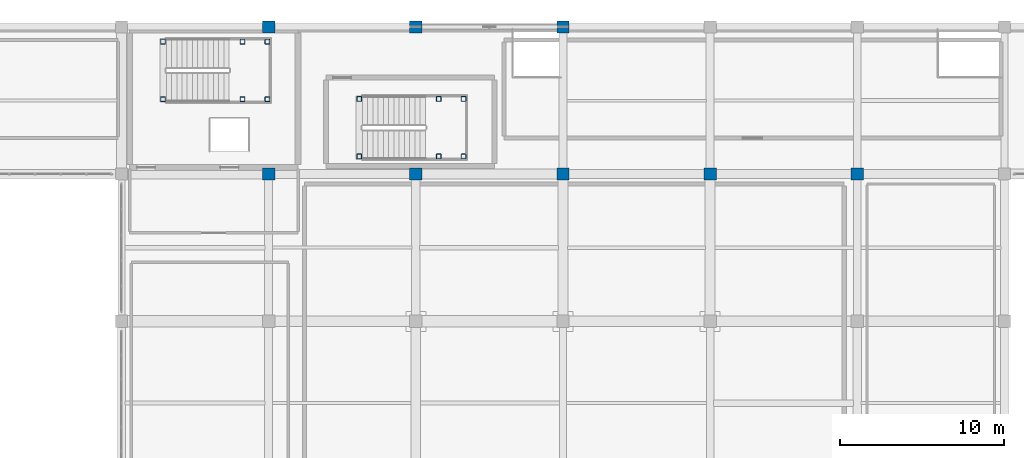
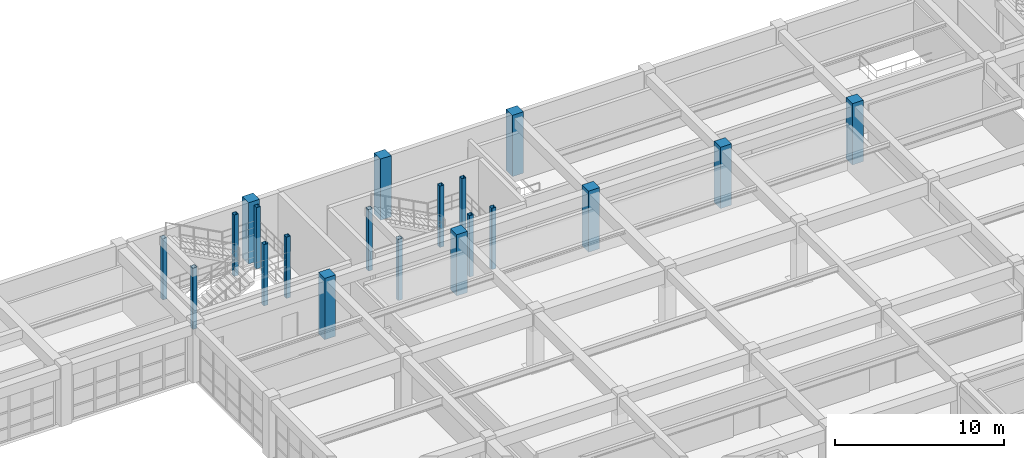
# One storey, part 12 of 133: 20 columns.
"""IFC4 building model written with IfcOpenShell, lengths in metres."""

from ifc_helpers import new_model, si_unit, direction, frame, origin, origin_2d, place, context, subcontext, project, spatial, rectangle, hollow_rectangle, extrude, material, material_profile, profile_set, type_object, element, save


model = new_model("IFC4")

# Units and contexts
model_context = context("Model", 3, precision=1e-05, world=origin(), true_north=direction((0.0, 1.0)))
body_context = subcontext(model_context, "Body", "Model", "MODEL_VIEW")
ifc_project = project(units=[si_unit("LENGTHUNIT", "METRE"), si_unit("AREAUNIT", "SQUARE_METRE"), si_unit("VOLUMEUNIT", "CUBIC_METRE"), si_unit("PLANEANGLEUNIT", "RADIAN"), si_unit("MASSUNIT", "GRAM", prefix="KILO")], contexts=[model_context])

# Site, building, storey
site_placement = place(None, origin())
site = spatial("IfcSite", under=ifc_project, at=site_placement, CompositionType="ELEMENT")
building_placement = place(site_placement, origin())
building = spatial("IfcBuilding", under=site, at=building_placement, Name="Miravela Opera House", CompositionType="ELEMENT")
storey_placement = place(building_placement, frame((0.0, 0.0, 5.10009765625)))
storey = spatial("IfcBuildingStorey", under=building, at=storey_placement, Name="L01", CompositionType="ELEMENT", Elevation=5.10009765625)

# Columns
ifc_material_1 = material(Name="Hollow structural steel ASTM A500 Gr. C", Category="steel")
ifc_material_profile_1 = material_profile(ifc_material_1, hollow_rectangle(XDim=0.300048828125, YDim=0.300048828125, WallThickness=0.01611328125, InnerFilletRadius=0.01611328125, OuterFilletRadius=0.031982421875, at=origin_2d()), Name="HSS300X300X16")
ifc_profile_set_1 = profile_set([ifc_material_profile_1])
column_type_1 = type_object("IfcColumnType", Name="STR-COL-HSS300", PredefinedType="COLUMN", material=ifc_profile_set_1)
for number, where, z_axis, x_axis, name in (
    (1, (65.5400390625, 107.580078125, 0.0), (0.0, 0.0, 1.0), (1.0, 0.0, 0.0), "Stair K5 Landing Support Column 1 (L01)"),
    (2, (65.5400390625, 111.10009765625, 0.0), (0.0, 0.0, 1.0), (1.0, 0.0, 0.0), "Stair K5 Landing Support Column 2 (L01)"),
    (3, (70.39990234375, 107.580078125, 0.0), (0.0, 0.0, 1.0), (1.0, 0.0, 0.0), "Stair K5 Landing Support Column 3 (L01)"),
    (4, (70.39990234375, 111.10009765625, 0.0), (0.0, 0.0, 1.0), (1.0, 0.0, 0.0), "Stair K5 Landing Support Column 4 (L01)"),
    (5, (71.919921875, 107.580078125, 0.0), (0.0, 0.0, 1.0), (1.0, 0.0, 0.0), "Stair K5 Landing Support Column 5 (L01)"),
    (6, (71.919921875, 111.10009765625, 0.0), (0.0, 0.0, 1.0), (1.0, 0.0, 0.0), "Stair K5 Landing Support Column 6 (L01)"),
    (7, (77.5400390625, 104.080078125, 0.0), (0.0, 0.0, 1.0), (1.0, 0.0, 0.0), "Stair ST-07 Landing Support Column 1 (L01)"),
    (8, (77.5400390625, 107.60009765625, 0.0), (0.0, 0.0, 1.0), (1.0, 0.0, 0.0), "Stair ST-07 Landing Support Column 2 (L01)"),
    (9, (82.39990234375, 104.080078125, 0.0), (0.0, 0.0, 1.0), (1.0, 0.0, 0.0), "Stair ST-07 Landing Support Column 3 (L01)"),
    (10, (82.39990234375, 107.60009765625, 0.0), (0.0, 0.0, 1.0), (1.0, 0.0, 0.0), "Stair ST-07 Landing Support Column 4 (L01)"),
    (11, (83.919921875, 104.080078125, 0.0), (0.0, 0.0, 1.0), (1.0, 0.0, 0.0), "Stair ST-07 Landing Support Column 5 (L01)"),
    (12, (83.919921875, 107.60009765625, 0.0), (0.0, 0.0, 1.0), (1.0, 0.0, 0.0), "Stair ST-07 Landing Support Column 6 (L01)"),
):
    element("IfcColumn", number, at=place(storey_placement, frame(where, z_axis=z_axis, x_axis=x_axis)), inside=storey, type_object=column_type_1, Name=name, PredefinedType="COLUMN", context=body_context, shape_type="SweptSolid", body=[
        extrude(hollow_rectangle(XDim=0.300048828125, YDim=0.300048828125, WallThickness=0.01611328125, InnerFilletRadius=0.01611328125, OuterFilletRadius=0.031982421875, at=origin_2d()), origin(), (0.0, 0.0, 1.0), 4.419921875),
    ])
ifc_material_2 = material(Name="Concrete C35/45", Category="concrete")
ifc_material_profile_2 = material_profile(ifc_material_2, rectangle(XDim=0.75, YDim=0.75, at=origin_2d()), Name="RC-COL-750X750")
ifc_profile_set_2 = profile_set([ifc_material_profile_2])
column_type_2 = type_object("IfcColumnType", Name="STR-COL-RC750", PredefinedType="COLUMN", material=ifc_profile_set_2)
for number, where, z_axis, x_axis, name in (
    (13, (81.0, 103.0, 0.0), (0.0, 0.0, 1.0), (1.0, 0.0, 0.0), "Column C-10L (L01)"),
    (14, (81.0, 112.0, 0.0), (0.0, 0.0, 1.0), (1.0, 0.0, 0.0), "Column C-10M (L01)"),
    (15, (90.0, 103.0, 0.0), (0.0, 0.0, 1.0), (1.0, 0.0, 0.0), "Column C-11L (L01)"),
    (16, (90.0, 112.0, 0.0), (0.0, 0.0, 1.0), (1.0, 0.0, 0.0), "Column C-11M (L01)"),
    (17, (99.0, 103.0, 0.0), (0.0, 0.0, 1.0), (1.0, 0.0, 0.0), "Column C-12L (L01)"),
    (18, (108.0, 103.0, 0.0), (0.0, 0.0, 1.0), (1.0, 0.0, 0.0), "Column C-13L (L01)"),
    (19, (72.0, 103.0, 0.0), (0.0, 0.0, 1.0), (1.0, 0.0, 0.0), "Column C-9L (L01)"),
    (20, (72.0, 112.0, 0.0), (0.0, 0.0, 1.0), (1.0, 0.0, 0.0), "Column C-9M (L01)"),
):
    element("IfcColumn", number, at=place(storey_placement, frame(where, z_axis=z_axis, x_axis=x_axis)), inside=storey, type_object=column_type_2, Name=name, PredefinedType="COLUMN", context=body_context, shape_type="SweptSolid", body=[
        extrude(rectangle(XDim=0.75, YDim=0.75, at=origin_2d()), origin(), (0.0, 0.0, 1.0), 4.419921875),
    ])

save(model, "model.ifc")
